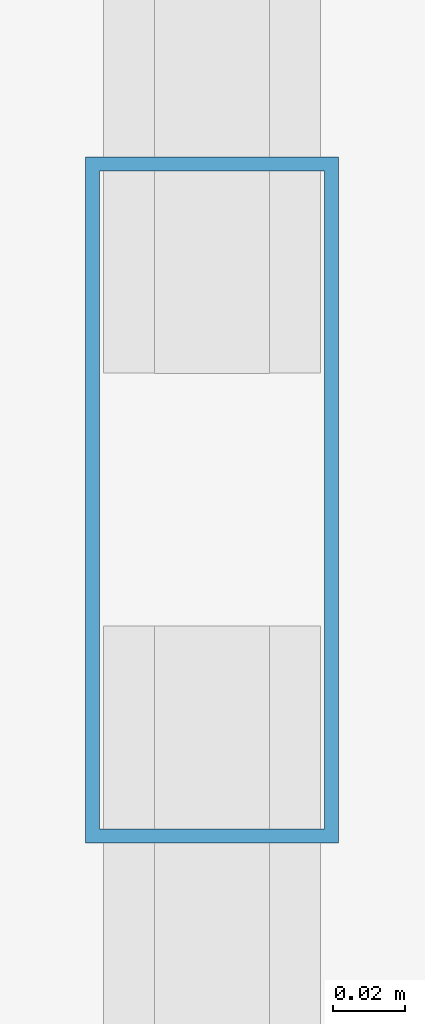
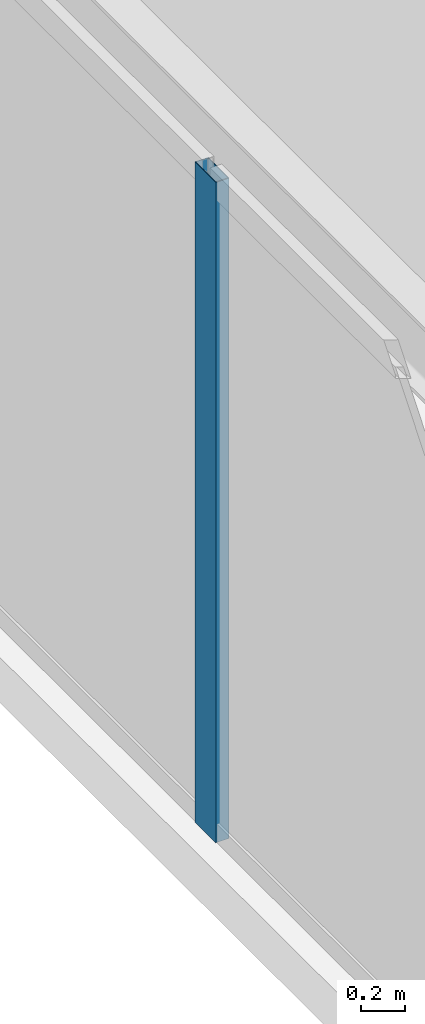
# One storey, part 10 of 30: 1 member, 1 element without a shape of its own.
"""IFC4 building model written with IfcOpenShell, lengths in metres."""

from ifc_helpers import new_model, si_unit, direction, frame, origin, origin_2d, place, context, subcontext, project, spatial, hollow_rectangle, extrude, source, transform, mapped, material, layer, layer_set, material_profile, profile_set, type_object, type_shapes, element, aggregate, save


model = new_model("IFC4")

# Units and contexts
model_context = context("Model", 3, precision=1e-05, world=origin(), true_north=direction((0.0, 1.0)))
body_context = subcontext(model_context, "Body", "Model", "MODEL_VIEW")
ifc_project = project(units=[si_unit("LENGTHUNIT", "METRE"), si_unit("AREAUNIT", "SQUARE_METRE"), si_unit("VOLUMEUNIT", "CUBIC_METRE"), si_unit("PLANEANGLEUNIT", "RADIAN"), si_unit("MASSUNIT", "GRAM", prefix="KILO")], contexts=[model_context])

# Site, building, storey
site_placement = place(None, origin())
site = spatial("IfcSite", under=ifc_project, at=site_placement, CompositionType="ELEMENT")
building_placement = place(site_placement, origin())
building = spatial("IfcBuilding", under=site, at=building_placement, Name="Varnel Quay Broadcast Tower", CompositionType="ELEMENT")
storey_placement = place(building_placement, frame((0.0, 0.0, 62.699951171875)))
storey = spatial("IfcBuildingStorey", under=building, at=storey_placement, Name="L14", CompositionType="ELEMENT", Elevation=62.699951171875)

# Curtain wall, member
ifc_material = material(Name="Anodised Bronze Aluminium 6063-T6", Category="aluminium")
ifc_layer = layer(ifc_material, 0.18994140625, Name="Anodised Bronze Aluminium 6063-T6")
ifc_layer_set = layer_set([ifc_layer], Name="Anodised Bronze Aluminium 6063-T6")
curtain_wall_type = type_object("IfcCurtainWallType", Name="CW_LowerTower", PredefinedType="NOTDEFINED", material=ifc_layer_set)
curtain_wall_placement = place(storey_placement, origin())
curtain_wall = element("IfcCurtainWall", 1, at=curtain_wall_placement, inside=storey, type_object=curtain_wall_type, Name="L14 West Unitised Curtain Wall", PredefinedType="NOTDEFINED")
ifc_material_profile = material_profile(ifc_material, hollow_rectangle(XDim=0.070068359375, YDim=0.18994140625, WallThickness=0.00390625, at=origin_2d()), Name="ALU70X190X4")
ifc_profile_set = profile_set([ifc_material_profile], Name="Anodised Bronze Aluminium 6063-T6")
member_type = type_object("IfcMemberType", Name="Mull_CWS-02", PredefinedType="MULLION", material=ifc_profile_set)
shared_shape = source(origin(), body_context, "Body", "SweptSolid", [
    extrude(hollow_rectangle(XDim=0.070068359375, YDim=0.18994140625, WallThickness=0.00390625, at=origin_2d()), origin(), (0.0, 0.0, 1.0), 3.650146484375),
])
type_shapes(member_type, [shared_shape])
member_placement = place(storey_placement, frame((2.14990234375, 30.39990234375, 0.0), z_axis=(0.0, 0.0, 1.0), x_axis=(-1.0, 0.0, 0.0)))
member = element("IfcMember", 2, at=member_placement, type_object=member_type, Name="CWS-02 mullion 3", PredefinedType="MULLION", context=body_context, shape_type="MappedRepresentation", body=[
    mapped(shared_shape, transform((0.0, 0.0, 0.0), x_axis=(1.0, 0.0, 0.0), y_axis=(0.0, 1.0, 0.0), z_axis=(0.0, 0.0, 1.0), scale=1.0)),
])
aggregate(curtain_wall, [member])

save(model, "model.ifc")
